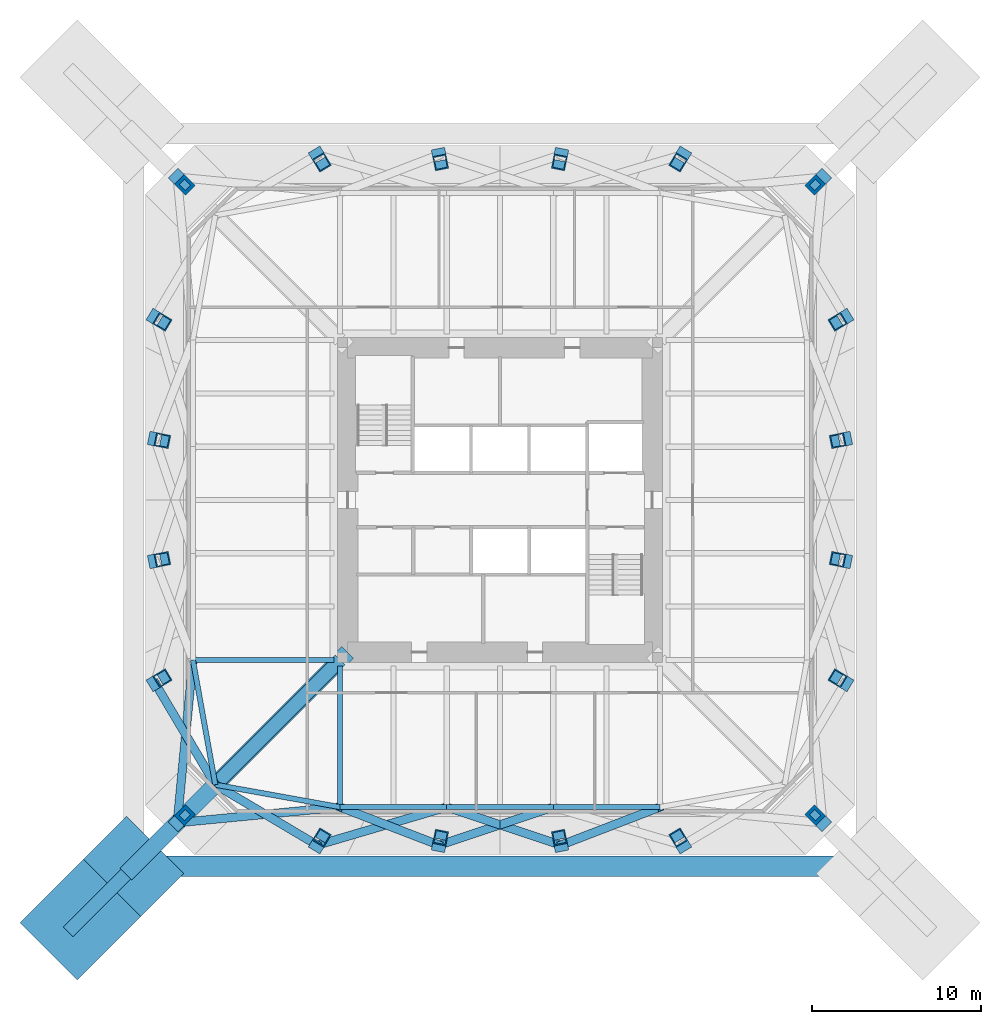
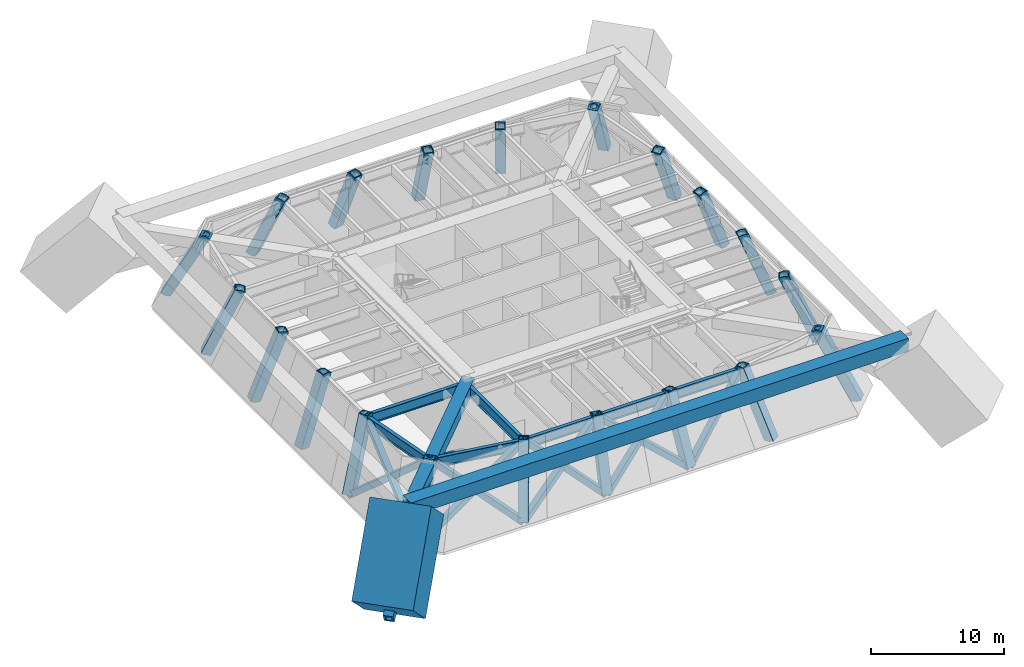
# One storey, part 1 of 6: 20 columns, 15 members, 7 beams.
"""IFC4 building model written with IfcOpenShell, lengths in metres."""

import ifcopenshell
import ifcopenshell.guid

model = None  # the IFC model being written
_history = None  # IfcOwnerHistory: only IFC2X3 demands one
_inside = {}  # id of a spatial element -> (the spatial element, [elements in it])
_under = {}  # id of a project, library or spatial element -> (it, [spatial elements below it])
_declared = {}  # id of a project -> (the project, [libraries it declares])
_typed = {}  # id of a type object -> (the type object, [elements of that type])
_made_of = {}  # id of a material, layer set ... -> (it, [elements and type objects made of it])


def new_model(schema):
    """Start an empty IFC model of exactly this schema.

    Asked for "IFC4X3", IfcOpenShell would pick the latest addendum, in which some entities
    have other attributes; the version numbers below select the first issue.
    IFC2X3 requires an IfcOwnerHistory on every rooted entity: one is made here for all.
    """
    global model, _history
    if schema == "IFC4X3":
        model = ifcopenshell.file(schema_version=(4, 3, 0, 0))
    else:
        model = ifcopenshell.file(schema=schema)
    _inside.clear()
    _under.clear()
    _declared.clear()
    _typed.clear()
    _made_of.clear()
    _history = None
    if model.schema == "IFC2X3":
        org = make("IfcOrganization", Name="unknown")
        user = make(
            "IfcPersonAndOrganization",
            ThePerson=make("IfcPerson", FamilyName="unknown"),
            TheOrganization=org,
        )
        app = make(
            "IfcApplication",
            ApplicationDeveloper=org,
            Version="unknown",
            ApplicationFullName="unknown",
            ApplicationIdentifier="unknown",
        )
        _history = make(
            "IfcOwnerHistory",
            OwningUser=user,
            OwningApplication=app,
            ChangeAction="ADDED",
            CreationDate=0,
        )
    return model


def make(cls, **values):
    """One entity of the class cls with the attributes given. An attribute that is None is left unset."""
    return model.create_entity(
        cls, **{name: value for name, value in values.items() if value is not None}
    )


def rooted(cls, **values):
    """An entity with a GlobalId (a new one), such as an element, a storey or a relation."""
    return make(cls, GlobalId=ifcopenshell.guid.new(), OwnerHistory=_history, **values)


def si_unit(unit_type, name, prefix=None):
    """IfcSIUnit, for example si_unit("LENGTHUNIT", "METRE", prefix="MILLI")."""
    return make("IfcSIUnit", UnitType=unit_type, Prefix=prefix, Name=name)


def assignment(units):
    """IfcUnitAssignment: the units of a project."""
    return None if units is None else make("IfcUnitAssignment", Units=units)


def point(xyz):
    """IfcCartesianPoint."""
    return None if xyz is None else make("IfcCartesianPoint", Coordinates=xyz)


def direction(xyz):
    """IfcDirection."""
    return None if xyz is None else make("IfcDirection", DirectionRatios=xyz)


def frame(location, z_axis=None, x_axis=None):
    """IfcAxis2Placement3D, a coordinate frame: its origin and axes. An axis left out is left unset."""
    return make(
        "IfcAxis2Placement3D",
        Location=point(location),
        Axis=direction(z_axis),
        RefDirection=direction(x_axis),
    )


def frame_2d(location, x_axis=None):
    """IfcAxis2Placement2D, a coordinate frame in the plane: its origin and x axis."""
    return make(
        "IfcAxis2Placement2D", Location=point(location), RefDirection=direction(x_axis)
    )


def origin():
    """The frame at (0, 0, 0) with its axes left unset."""
    return frame((0.0, 0.0, 0.0))


def origin_2d():
    """The frame at (0, 0) in the plane with its x axis left unset."""
    return frame_2d((0.0, 0.0))


def place(relative_to, where):
    """IfcLocalPlacement: puts the frame where relative to a parent placement (None: the world)."""
    return make(
        "IfcLocalPlacement", PlacementRelTo=relative_to, RelativePlacement=where
    )


def context(
    kind, dimensions, precision=None, world=None, true_north=None, identifier=None
):
    """IfcGeometricRepresentationContext, for example the 3D "Model" context."""
    return make(
        "IfcGeometricRepresentationContext",
        ContextIdentifier=identifier,
        ContextType=kind,
        CoordinateSpaceDimension=dimensions,
        Precision=precision,
        WorldCoordinateSystem=world,
        TrueNorth=true_north,
    )


def subcontext(parent, identifier, kind, view, scale=None):
    """IfcGeometricRepresentationSubContext, for example "Body" below "Model"."""
    return make(
        "IfcGeometricRepresentationSubContext",
        ContextIdentifier=identifier,
        ContextType=kind,
        ParentContext=parent,
        TargetScale=scale,
        TargetView=view,
    )


def project(units=None, contexts=None):
    """IfcProject with its units and contexts."""
    return rooted(
        "IfcProject",
        Name="project",
        RepresentationContexts=contexts,
        UnitsInContext=assignment(units),
    )


def spatial(cls, under=None, at=None, **own):
    """A site, building, storey or space (cls), placed at a placement, below another one or the project."""
    s = rooted(cls, ObjectPlacement=at, **own)
    if under is not None:
        _under.setdefault(under.id(), (under, []))[1].append(s)
    return s


def profile(cls, at=None, kind="AREA", **sizes):
    """A parametric profile (cls). Its sizes go by their IFC names, for example OverallWidth=200.0."""
    return make(cls, ProfileType=kind, Position=at, **sizes)


def rectangle(**sizes):
    """IfcRectangleProfileDef."""
    return profile("IfcRectangleProfileDef", **sizes)


def hollow_rectangle(**sizes):
    """IfcRectangleHollowProfileDef."""
    return profile("IfcRectangleHollowProfileDef", **sizes)


def i_section(**sizes):
    """IfcIShapeProfileDef."""
    return profile("IfcIShapeProfileDef", **sizes)


def extrude(swept, where, along, depth):
    """IfcExtrudedAreaSolid: the profile swept, set in the frame where, extruded along a direction by depth."""
    return make(
        "IfcExtrudedAreaSolid",
        SweptArea=swept,
        Position=where,
        ExtrudedDirection=direction(along),
        Depth=depth,
    )


def clip(a, b, op="DIFFERENCE"):
    """IfcBooleanClippingResult: the solid a cut by the half space b."""
    return make(
        "IfcBooleanClippingResult", Operator=op, FirstOperand=a, SecondOperand=b
    )


def halfspace(plane, agree):
    """IfcHalfSpaceSolid: all space on one side of the plane z = 0 of the frame plane."""
    return make(
        "IfcHalfSpaceSolid",
        BaseSurface=make("IfcPlane", Position=plane),
        AgreementFlag=agree,
    )


def shape(context_of_items, identifier, shape_type, items):
    """IfcShapeRepresentation: the items that make up one representation, for example the "Body"."""
    return make(
        "IfcShapeRepresentation",
        ContextOfItems=context_of_items,
        RepresentationIdentifier=identifier,
        RepresentationType=shape_type,
        Items=items,
    )


def material(Name=None, Category=None):
    """IfcMaterial."""
    return make("IfcMaterial", Name=Name, Category=Category)


def material_profile(
    of_material, cross_section, Name=None, Category=None, Priority=None
):
    """IfcMaterialProfile: a cross section and its material."""
    return make(
        "IfcMaterialProfile",
        Name=Name,
        Material=of_material,
        Profile=cross_section,
        Priority=Priority,
        Category=Category,
    )


def profile_set(profiles, Name=None, composite=None):
    """IfcMaterialProfileSet."""
    return make(
        "IfcMaterialProfileSet",
        Name=Name,
        MaterialProfiles=profiles,
        CompositeProfile=composite,
    )


def made_of(thing, what):
    """Note that an element or type object is made of a material, layer set ...; save() writes the relation."""
    if what is not None:
        _made_of.setdefault(what.id(), (what, []))[1].append(thing)
    return thing


def type_object(cls, material=None, **own):
    """A type object (cls), such as IfcWallType, which elements share."""
    return made_of(rooted(cls, **own), material)


def element(
    cls,
    number,
    at=None,
    inside=None,
    cuts=None,
    type_object=None,
    material=None,
    context=None,
    identifier="Body",
    shape_type=None,
    held_by="IfcProductDefinitionShape",
    body=None,
    shapes=None,
    **own,
):
    """One element of the class cls, such as IfcWall. Its Tag is "e" and its number.

    at: its placement. inside: the storey or other place that contains it. cuts: it is an
    opening in that element (IfcRelVoidsElement). A single representation is given by context,
    identifier, shape_type and body (its items); several are given by shapes. held_by: the class
    of the entity that holds the representations. save() writes the other relations.
    """
    e = rooted(cls, Tag="e%d" % number, ObjectPlacement=at, **own)
    if body is not None:
        shapes = [shape(context, identifier, shape_type, body)]
    if shapes is not None:
        e.Representation = make(held_by, Representations=shapes)
    if inside is not None:
        _inside.setdefault(inside.id(), (inside, []))[1].append(e)
    if cuts is not None:
        rooted(
            "IfcRelVoidsElement", RelatingBuildingElement=cuts, RelatedOpeningElement=e
        )
    if type_object is not None:
        _typed.setdefault(type_object.id(), (type_object, []))[1].append(e)
    return made_of(e, material)


def aggregate(whole, parts):
    """IfcRelAggregates: a whole, such as a stair, and the parts it consists of."""
    return rooted("IfcRelAggregates", RelatingObject=whole, RelatedObjects=parts)


def save(model, path):
    """Write the relations noted so far, then the file.

    IfcRelAggregates (storeys below a building ...), IfcRelContainedInSpatialStructure (elements
    in a storey), IfcRelDefinesByType, IfcRelAssociatesMaterial and IfcRelDeclares: one each for
    every whole, place, type object, material and project.
    """
    for whole, parts in _under.values():
        aggregate(whole, parts)
    for where, things in _inside.values():
        rooted(
            "IfcRelContainedInSpatialStructure",
            RelatedElements=things,
            RelatingStructure=where,
        )
    for kind, things in _typed.values():
        rooted("IfcRelDefinesByType", RelatedObjects=things, RelatingType=kind)
    for what, things in _made_of.values():
        rooted("IfcRelAssociatesMaterial", RelatedObjects=things, RelatingMaterial=what)
    for by, libraries in _declared.values():
        rooted("IfcRelDeclares", RelatingContext=by, RelatedDefinitions=libraries)
    model.write(path)


model = new_model("IFC4")

# Units and contexts
model_context = context("Model", 3, precision=1e-05, world=origin(), true_north=direction((0.0, 1.0)))
body_context = subcontext(model_context, "Body", "Model", "MODEL_VIEW")
ifc_project = project(units=[si_unit("LENGTHUNIT", "METRE"), si_unit("AREAUNIT", "SQUARE_METRE"), si_unit("VOLUMEUNIT", "CUBIC_METRE"), si_unit("PLANEANGLEUNIT", "RADIAN"), si_unit("MASSUNIT", "GRAM", prefix="KILO")], contexts=[model_context])

# Site, building, storey
site_placement = place(None, origin())
site = spatial("IfcSite", under=ifc_project, at=site_placement, CompositionType="ELEMENT")
building_placement = place(site_placement, origin())
building = spatial("IfcBuilding", under=site, at=building_placement, Name="Iwan Alto Co-Living Towers", CompositionType="ELEMENT")
storey_placement = place(building_placement, frame((0.0, 0.0, 143.5)))
storey = spatial("IfcBuildingStorey", under=building, at=storey_placement, Name="L39", CompositionType="ELEMENT", Elevation=143.5)

# Columns
ifc_material_1 = material(Name="Steel ASTM A36", Category="steel")
ifc_material_profile_1 = material_profile(ifc_material_1, hollow_rectangle(XDim=0.800048828125, YDim=0.800048828125, WallThickness=0.179931640625, at=origin_2d()), Name="BOX 800X800X180")
ifc_profile_set_1 = profile_set([ifc_material_profile_1], Name="Steel ASTM A36")
column_type_1 = type_object("IfcColumnType", Name="T1 HEAVY RAKING RING COLUMN BOX 800X800X180", PredefinedType="COLUMN", material=ifc_profile_set_1)
column_1_placement = place(storey_placement, frame((-19.07568359375, -19.07568359375, 0.0), z_axis=(0.331294578225, 0.331294578225, 0.883452208599), x_axis=(-0.707106781187, 0.707106781187, 0.0)))
element("IfcColumn", 1, at=column_1_placement, inside=storey, type_object=column_type_1, Name="T1 raking ring column CSW L39", PredefinedType="COLUMN", context=body_context, shape_type="Clipping", body=[
    clip(clip(extrude(hollow_rectangle(XDim=0.800048828125, YDim=0.800048828125, WallThickness=0.179931640625, at=origin_2d()), origin(), (0.0, 0.0, 1.0), 6.79150390625), halfspace(frame((0.0, 0.0, 0.0), z_axis=(0.0, -0.468521285666, -0.883452208599), x_axis=(-0.707106781187, -0.624695047554, 0.331294578225)), False)), halfspace(frame((0.0, 2.81103515625, 5.30078125), z_axis=(0.0, 0.468521285666, 0.883452208599), x_axis=(-0.707106781187, -0.624695047554, 0.331294578225)), False)),
])
column_2_placement = place(storey_placement, frame((19.07568359375, -19.07568359375, 0.0), z_axis=(-0.331294578225, 0.331294578225, 0.883452208599), x_axis=(-0.707106781187, -0.707106781187, 0.0)))
element("IfcColumn", 2, at=column_2_placement, inside=storey, type_object=column_type_1, Name="T1 raking ring column CSE L39", PredefinedType="COLUMN", context=body_context, shape_type="Clipping", body=[
    clip(clip(extrude(hollow_rectangle(XDim=0.800048828125, YDim=0.800048828125, WallThickness=0.179931640625, at=origin_2d()), origin(), (0.0, 0.0, 1.0), 6.79150390625), halfspace(frame((0.0, 0.0, 0.0), z_axis=(0.0, -0.468521285666, -0.883452208599), x_axis=(-0.707106781187, 0.624695047554, -0.331294578225)), False)), halfspace(frame((0.0, 2.81103515625, 5.30078125), z_axis=(0.0, 0.468521285666, 0.883452208599), x_axis=(-0.707106781187, 0.624695047554, -0.331294578225)), False)),
])
column_3_placement = place(storey_placement, frame((19.07568359375, 19.07568359375, 0.0), z_axis=(-0.331294578225, -0.331294578225, 0.883452208599), x_axis=(0.707106781187, -0.707106781187, 0.0)))
element("IfcColumn", 3, at=column_3_placement, inside=storey, type_object=column_type_1, Name="T1 raking ring column CNE L39", PredefinedType="COLUMN", context=body_context, shape_type="Clipping", body=[
    clip(clip(extrude(hollow_rectangle(XDim=0.800048828125, YDim=0.800048828125, WallThickness=0.179931640625, at=origin_2d()), origin(), (0.0, 0.0, 1.0), 6.79150390625), halfspace(frame((0.0, 0.0, 0.0), z_axis=(0.0, -0.468521285666, -0.883452208599), x_axis=(0.707106781187, 0.624695047554, -0.331294578225)), False)), halfspace(frame((0.0, 2.81103515625, 5.30078125), z_axis=(0.0, 0.468521285666, 0.883452208599), x_axis=(0.707106781187, 0.624695047554, -0.331294578225)), False)),
])
column_4_placement = place(storey_placement, frame((-19.07568359375, 19.07568359375, 0.0), z_axis=(0.331294578225, -0.331294578225, 0.883452208599), x_axis=(0.707106781187, 0.707106781187, 0.0)))
element("IfcColumn", 4, at=column_4_placement, inside=storey, type_object=column_type_1, Name="T1 raking ring column CNW L39", PredefinedType="COLUMN", context=body_context, shape_type="Clipping", body=[
    clip(clip(extrude(hollow_rectangle(XDim=0.800048828125, YDim=0.800048828125, WallThickness=0.179931640625, at=origin_2d()), origin(), (0.0, 0.0, 1.0), 6.79150390625), halfspace(frame((0.0, 0.0, 0.0), z_axis=(0.0, -0.468521285666, -0.883452208599), x_axis=(0.707106781187, -0.624695047554, 0.331294578225)), False)), halfspace(frame((0.0, 2.81103515625, 5.30078125), z_axis=(0.0, 0.468521285666, 0.883452208599), x_axis=(0.707106781187, -0.624695047554, 0.331294578225)), False)),
])
ifc_material_2 = material(Name="Steel ASTM A572 Gr 50", Category="steel")
ifc_material_profile_2 = material_profile(ifc_material_2, hollow_rectangle(XDim=0.800048828125, YDim=0.800048828125, WallThickness=0.070068359375, at=origin_2d()), Name="BOX 800X800X70")
ifc_profile_set_2 = profile_set([ifc_material_profile_2], Name="Steel ASTM A572 Gr 50")
column_type_2 = type_object("IfcColumnType", Name="T1 RAKING RING COLUMN BOX 800X800X70", PredefinedType="COLUMN", material=ifc_profile_set_2)
column_5_placement = place(storey_placement, frame((-10.800048828125, -20.39990234375, 0.0), z_axis=(0.206163197348, 0.343580475001, 0.916214600002), x_axis=(-0.857476506072, 0.514523120505, 0.0)))
element("IfcColumn", 5, at=column_5_placement, inside=storey, type_object=column_type_2, Name="T1 raking ring column S1 L39", PredefinedType="COLUMN", context=body_context, shape_type="Clipping", body=[
    clip(clip(extrude(hollow_rectangle(XDim=0.800048828125, YDim=0.800048828125, WallThickness=0.070068359375, at=origin_2d()), origin(), (0.0, 0.0, 1.0), 6.548583984375), halfspace(frame((0.0, 0.0, 0.0), z_axis=(0.0, -0.400687916891, -0.916214600002), x_axis=(-0.857476506072, -0.471413595046, 0.206163197348)), False)), halfspace(frame((0.0, 2.404052734375, 5.497314453125), z_axis=(0.0, 0.400687916891, 0.916214600002), x_axis=(-0.857476506072, -0.471413595046, 0.206163197348)), False)),
])
column_6_placement = place(storey_placement, frame((-3.60009765625, -20.39990234375, 0.0), z_axis=(0.07008242466, 0.350260100688, 0.934026935168), x_axis=(-0.980564303347, 0.196197979098, 0.0)))
element("IfcColumn", 6, at=column_6_placement, inside=storey, type_object=column_type_2, Name="T1 raking ring column S2 L39", PredefinedType="COLUMN", context=body_context, shape_type="Clipping", body=[
    clip(clip(extrude(hollow_rectangle(XDim=0.800048828125, YDim=0.800048828125, WallThickness=0.070068359375, at=origin_2d()), origin(), (0.0, 0.0, 1.0), 6.423828125), halfspace(frame((0.0, 0.0, 0.0), z_axis=(0.0, -0.35720258171, -0.934026935168), x_axis=(-0.980564303347, -0.183254197104, 0.07008242466)), False)), halfspace(frame((0.0, 2.143310546875, 5.604248046875), z_axis=(0.0, 0.35720258171, 0.934026935168), x_axis=(-0.980564303347, -0.183254197104, 0.07008242466)), False)),
])
column_7_placement = place(storey_placement, frame((3.60009765625, -20.39990234375, 0.0), z_axis=(-0.07008242466, 0.350260100688, 0.934026935168), x_axis=(-0.980564303347, -0.196197979098, 0.0)))
element("IfcColumn", 7, at=column_7_placement, inside=storey, type_object=column_type_2, Name="T1 raking ring column S3 L39", PredefinedType="COLUMN", context=body_context, shape_type="Clipping", body=[
    clip(clip(extrude(hollow_rectangle(XDim=0.800048828125, YDim=0.800048828125, WallThickness=0.070068359375, at=origin_2d()), origin(), (0.0, 0.0, 1.0), 6.423828125), halfspace(frame((0.0, 0.0, 0.0), z_axis=(0.0, -0.35720258171, -0.934026935168), x_axis=(-0.980564303347, 0.183254197104, -0.07008242466)), False)), halfspace(frame((0.0, 2.143310546875, 5.604248046875), z_axis=(0.0, 0.35720258171, 0.934026935168), x_axis=(-0.980564303347, 0.183254197104, -0.07008242466)), False)),
])
column_8_placement = place(storey_placement, frame((10.800048828125, -20.39990234375, 0.0), z_axis=(-0.206163197348, 0.343580475001, 0.916214600002), x_axis=(-0.857476506072, -0.514523120505, 0.0)))
element("IfcColumn", 8, at=column_8_placement, inside=storey, type_object=column_type_2, Name="T1 raking ring column S4 L39", PredefinedType="COLUMN", context=body_context, shape_type="Clipping", body=[
    clip(clip(extrude(hollow_rectangle(XDim=0.800048828125, YDim=0.800048828125, WallThickness=0.070068359375, at=origin_2d()), origin(), (0.0, 0.0, 1.0), 6.548583984375), halfspace(frame((0.0, 0.0, 0.0), z_axis=(0.0, -0.400687916891, -0.916214600002), x_axis=(-0.857476506072, 0.471413595046, -0.206163197348)), False)), halfspace(frame((0.0, 2.404052734375, 5.497314453125), z_axis=(0.0, 0.400687916891, 0.916214600002), x_axis=(-0.857476506072, 0.471413595046, -0.206163197348)), False)),
])
column_9_placement = place(storey_placement, frame((20.39990234375, -10.800048828125, 0.0), z_axis=(-0.343580475001, 0.206163197348, 0.916214600002), x_axis=(-0.514523120505, -0.857476506072, 0.0)))
element("IfcColumn", 9, at=column_9_placement, inside=storey, type_object=column_type_2, Name="T1 raking ring column E1 L39", PredefinedType="COLUMN", context=body_context, shape_type="Clipping", body=[
    clip(clip(extrude(hollow_rectangle(XDim=0.800048828125, YDim=0.800048828125, WallThickness=0.070068359375, at=origin_2d()), origin(), (0.0, 0.0, 1.0), 6.548583984375), halfspace(frame((0.0, 0.0, 0.0), z_axis=(0.0, -0.400687916891, -0.916214600002), x_axis=(-0.514523120505, 0.785632494022, -0.343580475001)), False)), halfspace(frame((0.0, 2.404052734375, 5.497314453125), z_axis=(0.0, 0.400687916891, 0.916214600002), x_axis=(-0.514523120505, 0.785632494022, -0.343580475001)), False)),
])
column_10_placement = place(storey_placement, frame((20.39990234375, -3.60009765625, 0.0), z_axis=(-0.350260100688, 0.07008242466, 0.934026935168), x_axis=(-0.196197979098, -0.980564303347, 0.0)))
element("IfcColumn", 10, at=column_10_placement, inside=storey, type_object=column_type_2, Name="T1 raking ring column E2 L39", PredefinedType="COLUMN", context=body_context, shape_type="Clipping", body=[
    clip(clip(extrude(hollow_rectangle(XDim=0.800048828125, YDim=0.800048828125, WallThickness=0.070068359375, at=origin_2d()), origin(), (0.0, 0.0, 1.0), 6.423828125), halfspace(frame((0.0, 0.0, 0.0), z_axis=(0.0, -0.35720258171, -0.934026935168), x_axis=(-0.196197979098, 0.91587347099, -0.350260100688)), False)), halfspace(frame((0.0, 2.143310546875, 5.604248046875), z_axis=(0.0, 0.35720258171, 0.934026935168), x_axis=(-0.196197979098, 0.91587347099, -0.350260100688)), False)),
])
column_11_placement = place(storey_placement, frame((20.39990234375, 3.60009765625, 0.0), z_axis=(-0.350260100688, -0.07008242466, 0.934026935168), x_axis=(0.196197979098, -0.980564303347, 0.0)))
element("IfcColumn", 11, at=column_11_placement, inside=storey, type_object=column_type_2, Name="T1 raking ring column E3 L39", PredefinedType="COLUMN", context=body_context, shape_type="Clipping", body=[
    clip(clip(extrude(hollow_rectangle(XDim=0.800048828125, YDim=0.800048828125, WallThickness=0.070068359375, at=origin_2d()), origin(), (0.0, 0.0, 1.0), 6.423828125), halfspace(frame((0.0, 0.0, 0.0), z_axis=(0.0, -0.35720258171, -0.934026935168), x_axis=(0.196197979098, 0.91587347099, -0.350260100688)), False)), halfspace(frame((0.0, 2.143310546875, 5.604248046875), z_axis=(0.0, 0.35720258171, 0.934026935168), x_axis=(0.196197979098, 0.91587347099, -0.350260100688)), False)),
])
column_12_placement = place(storey_placement, frame((20.39990234375, 10.800048828125, 0.0), z_axis=(-0.343580475001, -0.206163197348, 0.916214600002), x_axis=(0.514523120505, -0.857476506072, 0.0)))
element("IfcColumn", 12, at=column_12_placement, inside=storey, type_object=column_type_2, Name="T1 raking ring column E4 L39", PredefinedType="COLUMN", context=body_context, shape_type="Clipping", body=[
    clip(clip(extrude(hollow_rectangle(XDim=0.800048828125, YDim=0.800048828125, WallThickness=0.070068359375, at=origin_2d()), origin(), (0.0, 0.0, 1.0), 6.548583984375), halfspace(frame((0.0, 0.0, 0.0), z_axis=(0.0, -0.400687916891, -0.916214600002), x_axis=(0.514523120505, 0.785632494022, -0.343580475001)), False)), halfspace(frame((0.0, 2.404052734375, 5.497314453125), z_axis=(0.0, 0.400687916891, 0.916214600002), x_axis=(0.514523120505, 0.785632494022, -0.343580475001)), False)),
])
column_13_placement = place(storey_placement, frame((10.800048828125, 20.39990234375, 0.0), z_axis=(-0.206163197348, -0.343580475001, 0.916214600002), x_axis=(0.857476506072, -0.514523120505, 0.0)))
element("IfcColumn", 13, at=column_13_placement, inside=storey, type_object=column_type_2, Name="T1 raking ring column N1 L39", PredefinedType="COLUMN", context=body_context, shape_type="Clipping", body=[
    clip(clip(extrude(hollow_rectangle(XDim=0.800048828125, YDim=0.800048828125, WallThickness=0.070068359375, at=origin_2d()), origin(), (0.0, 0.0, 1.0), 6.548583984375), halfspace(frame((0.0, 0.0, 0.0), z_axis=(0.0, -0.400687916891, -0.916214600002), x_axis=(0.857476506072, 0.471413595046, -0.206163197348)), False)), halfspace(frame((0.0, 2.404052734375, 5.497314453125), z_axis=(0.0, 0.400687916891, 0.916214600002), x_axis=(0.857476506072, 0.471413595046, -0.206163197348)), False)),
])
column_14_placement = place(storey_placement, frame((3.60009765625, 20.39990234375, 0.0), z_axis=(-0.07008242466, -0.350260100688, 0.934026935168), x_axis=(0.980564303347, -0.196197979098, 0.0)))
element("IfcColumn", 14, at=column_14_placement, inside=storey, type_object=column_type_2, Name="T1 raking ring column N2 L39", PredefinedType="COLUMN", context=body_context, shape_type="Clipping", body=[
    clip(clip(extrude(hollow_rectangle(XDim=0.800048828125, YDim=0.800048828125, WallThickness=0.070068359375, at=origin_2d()), origin(), (0.0, 0.0, 1.0), 6.423828125), halfspace(frame((0.0, 0.0, 0.0), z_axis=(0.0, -0.35720258171, -0.934026935168), x_axis=(0.980564303347, 0.183254197104, -0.07008242466)), False)), halfspace(frame((0.0, 2.143310546875, 5.604248046875), z_axis=(0.0, 0.35720258171, 0.934026935168), x_axis=(0.980564303347, 0.183254197104, -0.07008242466)), False)),
])
column_15_placement = place(storey_placement, frame((-3.60009765625, 20.39990234375, 0.0), z_axis=(0.07008242466, -0.350260100688, 0.934026935168), x_axis=(0.980564303347, 0.196197979098, 0.0)))
element("IfcColumn", 15, at=column_15_placement, inside=storey, type_object=column_type_2, Name="T1 raking ring column N3 L39", PredefinedType="COLUMN", context=body_context, shape_type="Clipping", body=[
    clip(clip(extrude(hollow_rectangle(XDim=0.800048828125, YDim=0.800048828125, WallThickness=0.070068359375, at=origin_2d()), origin(), (0.0, 0.0, 1.0), 6.423828125), halfspace(frame((0.0, 0.0, 0.0), z_axis=(0.0, -0.35720258171, -0.934026935168), x_axis=(0.980564303347, -0.183254197104, 0.07008242466)), False)), halfspace(frame((0.0, 2.143310546875, 5.604248046875), z_axis=(0.0, 0.35720258171, 0.934026935168), x_axis=(0.980564303347, -0.183254197104, 0.07008242466)), False)),
])
column_16_placement = place(storey_placement, frame((-10.800048828125, 20.39990234375, 0.0), z_axis=(0.206163197348, -0.343580475001, 0.916214600002), x_axis=(0.857476506072, 0.514523120505, 0.0)))
element("IfcColumn", 16, at=column_16_placement, inside=storey, type_object=column_type_2, Name="T1 raking ring column N4 L39", PredefinedType="COLUMN", context=body_context, shape_type="Clipping", body=[
    clip(clip(extrude(hollow_rectangle(XDim=0.800048828125, YDim=0.800048828125, WallThickness=0.070068359375, at=origin_2d()), origin(), (0.0, 0.0, 1.0), 6.548583984375), halfspace(frame((0.0, 0.0, 0.0), z_axis=(0.0, -0.400687916891, -0.916214600002), x_axis=(0.857476506072, -0.471413595046, 0.206163197348)), False)), halfspace(frame((0.0, 2.404052734375, 5.497314453125), z_axis=(0.0, 0.400687916891, 0.916214600002), x_axis=(0.857476506072, -0.471413595046, 0.206163197348)), False)),
])
column_17_placement = place(storey_placement, frame((-20.39990234375, 10.800048828125, 0.0), z_axis=(0.343580475001, -0.206163197348, 0.916214600002), x_axis=(0.514523120505, 0.857476506072, 0.0)))
element("IfcColumn", 17, at=column_17_placement, inside=storey, type_object=column_type_2, Name="T1 raking ring column W1 L39", PredefinedType="COLUMN", context=body_context, shape_type="Clipping", body=[
    clip(clip(extrude(hollow_rectangle(XDim=0.800048828125, YDim=0.800048828125, WallThickness=0.070068359375, at=origin_2d()), origin(), (0.0, 0.0, 1.0), 6.548583984375), halfspace(frame((0.0, 0.0, 0.0), z_axis=(0.0, -0.400687916891, -0.916214600002), x_axis=(0.514523120505, -0.785632494022, 0.343580475001)), False)), halfspace(frame((0.0, 2.404052734375, 5.497314453125), z_axis=(0.0, 0.400687916891, 0.916214600002), x_axis=(0.514523120505, -0.785632494022, 0.343580475001)), False)),
])
column_18_placement = place(storey_placement, frame((-20.39990234375, 3.60009765625, 0.0), z_axis=(0.350260100688, -0.07008242466, 0.934026935168), x_axis=(0.196197979098, 0.980564303347, 0.0)))
element("IfcColumn", 18, at=column_18_placement, inside=storey, type_object=column_type_2, Name="T1 raking ring column W2 L39", PredefinedType="COLUMN", context=body_context, shape_type="Clipping", body=[
    clip(clip(extrude(hollow_rectangle(XDim=0.800048828125, YDim=0.800048828125, WallThickness=0.070068359375, at=origin_2d()), origin(), (0.0, 0.0, 1.0), 6.423828125), halfspace(frame((0.0, 0.0, 0.0), z_axis=(0.0, -0.35720258171, -0.934026935168), x_axis=(0.196197979098, -0.91587347099, 0.350260100688)), False)), halfspace(frame((0.0, 2.143310546875, 5.604248046875), z_axis=(0.0, 0.35720258171, 0.934026935168), x_axis=(0.196197979098, -0.91587347099, 0.350260100688)), False)),
])
column_19_placement = place(storey_placement, frame((-20.39990234375, -3.60009765625, 0.0), z_axis=(0.350260100688, 0.07008242466, 0.934026935168), x_axis=(-0.196197979098, 0.980564303347, 0.0)))
element("IfcColumn", 19, at=column_19_placement, inside=storey, type_object=column_type_2, Name="T1 raking ring column W3 L39", PredefinedType="COLUMN", context=body_context, shape_type="Clipping", body=[
    clip(clip(extrude(hollow_rectangle(XDim=0.800048828125, YDim=0.800048828125, WallThickness=0.070068359375, at=origin_2d()), origin(), (0.0, 0.0, 1.0), 6.423828125), halfspace(frame((0.0, 0.0, 0.0), z_axis=(0.0, -0.35720258171, -0.934026935168), x_axis=(-0.196197979098, -0.91587347099, 0.350260100688)), False)), halfspace(frame((0.0, 2.143310546875, 5.604248046875), z_axis=(0.0, 0.35720258171, 0.934026935168), x_axis=(-0.196197979098, -0.91587347099, 0.350260100688)), False)),
])
column_20_placement = place(storey_placement, frame((-20.39990234375, -10.800048828125, 0.0), z_axis=(0.343580475001, 0.206163197348, 0.916214600002), x_axis=(-0.514523120505, 0.857476506072, 0.0)))
element("IfcColumn", 20, at=column_20_placement, inside=storey, type_object=column_type_2, Name="T1 raking ring column W4 L39", PredefinedType="COLUMN", context=body_context, shape_type="Clipping", body=[
    clip(clip(extrude(hollow_rectangle(XDim=0.800048828125, YDim=0.800048828125, WallThickness=0.070068359375, at=origin_2d()), origin(), (0.0, 0.0, 1.0), 6.548583984375), halfspace(frame((0.0, 0.0, 0.0), z_axis=(0.0, -0.400687916891, -0.916214600002), x_axis=(-0.514523120505, -0.785632494022, 0.343580475001)), False)), halfspace(frame((0.0, 2.404052734375, 5.497314453125), z_axis=(0.0, 0.400687916891, 0.916214600002), x_axis=(-0.514523120505, -0.785632494022, 0.343580475001)), False)),
])

# Beams
ifc_material_3 = material(Name="Steel ASTM A992 Gr 50", Category="steel")
ifc_material_profile_3 = material_profile(ifc_material_3, i_section(OverallWidth=0.307373046875, OverallDepth=0.927001953125, WebThickness=0.01953125, FlangeThickness=0.031982421875, at=origin_2d()), Name="W36X194")
ifc_profile_set_3 = profile_set([ifc_material_profile_3], Name="Steel ASTM A992 Gr 50")
beam_type_1 = type_object("IfcBeamType", Name="T1 BELT TRUSS CHORD W36X194", PredefinedType="BEAM", material=ifc_profile_set_3)
beam_1_placement = place(storey_placement, frame((-16.82568359375, -16.82568359375, 5.306396484375), z_axis=(0.98426263553, -0.17671181143, 0.0), x_axis=(0.17671181143, 0.98426263553, 0.0)))
element("IfcBeam", 21, at=beam_1_placement, inside=storey, type_object=beam_type_1, Name="T1 edge beam CSW L40", PredefinedType="BEAM", context=body_context, shape_type="SweptSolid", body=[
    extrude(i_section(OverallWidth=0.307373046875, OverallDepth=0.927001953125, WebThickness=0.01953125, FlangeThickness=0.031982421875, at=origin_2d()), origin(), (0.0, 0.0, 1.0), 7.49365234375),
])
beam_2_placement = place(storey_placement, frame((-9.449951171875, -18.14990234375, 5.306396484375), z_axis=(1.0, 0.0, 0.0), x_axis=(0.0, 1.0, 0.0)))
element("IfcBeam", 22, at=beam_2_placement, inside=storey, type_object=beam_type_1, Name="T1 edge beam S1 L40", PredefinedType="BEAM", context=body_context, shape_type="SweptSolid", body=[
    extrude(i_section(OverallWidth=0.307373046875, OverallDepth=0.927001953125, WebThickness=0.01953125, FlangeThickness=0.031982421875, at=origin_2d()), origin(), (0.0, 0.0, 1.0), 6.300048828125),
])
beam_3_placement = place(storey_placement, frame((-3.14990234375, -18.14990234375, 5.306396484375), z_axis=(1.0, 0.0, 0.0), x_axis=(0.0, 1.0, 0.0)))
element("IfcBeam", 23, at=beam_3_placement, inside=storey, type_object=beam_type_1, Name="T1 edge beam S2 L40", PredefinedType="BEAM", context=body_context, shape_type="SweptSolid", body=[
    extrude(i_section(OverallWidth=0.307373046875, OverallDepth=0.927001953125, WebThickness=0.01953125, FlangeThickness=0.031982421875, at=origin_2d()), origin(), (0.0, 0.0, 1.0), 6.2998046875),
])
beam_4_placement = place(storey_placement, frame((3.14990234375, -18.14990234375, 5.306396484375), z_axis=(1.0, 0.0, 0.0), x_axis=(0.0, 1.0, 0.0)))
element("IfcBeam", 24, at=beam_4_placement, inside=storey, type_object=beam_type_1, Name="T1 edge beam S3 L40", PredefinedType="BEAM", context=body_context, shape_type="SweptSolid", body=[
    extrude(i_section(OverallWidth=0.307373046875, OverallDepth=0.927001953125, WebThickness=0.01953125, FlangeThickness=0.031982421875, at=origin_2d()), origin(), (0.0, 0.0, 1.0), 6.300048828125),
])
beam_5_placement = place(storey_placement, frame((-18.14990234375, -9.449951171875, 5.306396484375), z_axis=(0.17671181143, -0.98426263553, 0.0), x_axis=(0.98426263553, 0.17671181143, 0.0)))
element("IfcBeam", 25, at=beam_5_placement, inside=storey, type_object=beam_type_1, Name="T1 edge beam W4 L40", PredefinedType="BEAM", context=body_context, shape_type="SweptSolid", body=[
    extrude(i_section(OverallWidth=0.307373046875, OverallDepth=0.927001953125, WebThickness=0.01953125, FlangeThickness=0.031982421875, at=origin_2d()), origin(), (0.0, 0.0, 1.0), 7.49365234375),
])

# Members
ifc_material_4 = material(Name="Steel ASTM A572 Gr 50", Category="steel")
ifc_material_profile_4 = material_profile(ifc_material_4, hollow_rectangle(XDim=0.5, YDim=0.5, WallThickness=0.031982421875, at=origin_2d()), Name="BOX 500X500X32")
ifc_profile_set_4 = profile_set([ifc_material_profile_4], Name="Steel ASTM A572 Gr 50")
member_type_1 = type_object("IfcMemberType", Name="T1 BELT TRUSS DIAGONAL BOX 500X500X32", PredefinedType="BRACE", material=ifc_profile_set_4)
member_1_placement = place(storey_placement, frame((-19.07568359375, -19.07568359375, 0.0), z_axis=(0.857524184509, 0.082474743391, 0.507789513169), x_axis=(-0.09573597896, 0.99540676225, 0.0)))
element("IfcMember", 26, at=member_1_placement, inside=storey, type_object=member_type_1, Name="T1 belt truss diagonal CSW L39 1", PredefinedType="BRACE", context=body_context, shape_type="SweptSolid", body=[
    extrude(hollow_rectangle(XDim=0.5, YDim=0.5, WallThickness=0.031982421875, at=origin_2d()), origin(), (0.0, 0.0, 1.0), 11.22509765625),
])
member_2_placement = place(storey_placement, frame((-10.800048828125, -20.39990234375, 0.0), z_axis=(-0.667160357396, 0.395738731505, 0.631100557681), x_axis=(-0.510169146112, -0.860074091201, 0.0)))
element("IfcMember", 27, at=member_2_placement, inside=storey, type_object=member_type_1, Name="T1 belt truss diagonal CSW L39 2", PredefinedType="BRACE", context=body_context, shape_type="SweptSolid", body=[
    extrude(hollow_rectangle(XDim=0.5, YDim=0.5, WallThickness=0.031982421875, at=origin_2d()), origin(), (0.0, 0.0, 1.0), 9.03173828125),
])
member_3_placement = place(storey_placement, frame((-10.800048828125, -20.39990234375, 0.0), z_axis=(0.780478146102, 0.229548000462, 0.58151661966), x_axis=(-0.28216135125, 0.959366964128, 0.0)))
element("IfcMember", 28, at=member_3_placement, inside=storey, type_object=member_type_1, Name="T1 belt truss diagonal S1 L39 1", PredefinedType="BRACE", context=body_context, shape_type="SweptSolid", body=[
    extrude(hollow_rectangle(XDim=0.5, YDim=0.5, WallThickness=0.031982421875, at=origin_2d()), origin(), (0.0, 0.0, 1.0), 9.8017578125),
])
member_4_placement = place(storey_placement, frame((-3.60009765625, -20.39990234375, 0.0), z_axis=(-0.690502507157, 0.265584537622, 0.672808398422), x_axis=(-0.358986909968, -0.933342594373, 0.0)))
element("IfcMember", 29, at=member_4_placement, inside=storey, type_object=member_type_1, Name="T1 belt truss diagonal S1 L39 2", PredefinedType="BRACE", context=body_context, shape_type="SweptSolid", body=[
    extrude(hollow_rectangle(XDim=0.5, YDim=0.5, WallThickness=0.031982421875, at=origin_2d()), origin(), (0.0, 0.0, 1.0), 8.471923828125),
])
for number, where, z_axis, x_axis, name in (
    (30, (-3.60009765625, -20.39990234375, 0.0), (0.740398486837, 0.246799495612, 0.625220032993), (-0.316227766017, 0.948683298051, 0.0), "T1 belt truss diagonal S2 L39 1"),
    (31, (3.60009765625, -20.39990234375, 0.0), (-0.740398486837, 0.246799495612, 0.625220032993), (-0.316227766017, -0.948683298051, 0.0), "T1 belt truss diagonal S2 L39 2"),
):
    element("IfcMember", number, at=place(storey_placement, frame(where, z_axis=z_axis, x_axis=x_axis)), inside=storey, type_object=member_type_1, Name=name, PredefinedType="BRACE", context=body_context, shape_type="SweptSolid", body=[
        extrude(hollow_rectangle(XDim=0.5, YDim=0.5, WallThickness=0.031982421875, at=origin_2d()), origin(), (0.0, 0.0, 1.0), 9.11669921875),
    ])
member_5_placement = place(storey_placement, frame((3.60009765625, -20.39990234375, 0.0), z_axis=(0.690502507157, 0.265584537622, 0.672808398422), x_axis=(-0.358986909968, 0.933342594373, 0.0)))
element("IfcMember", 32, at=member_5_placement, inside=storey, type_object=member_type_1, Name="T1 belt truss diagonal S3 L39 1", PredefinedType="BRACE", context=body_context, shape_type="SweptSolid", body=[
    extrude(hollow_rectangle(XDim=0.5, YDim=0.5, WallThickness=0.031982421875, at=origin_2d()), origin(), (0.0, 0.0, 1.0), 8.471923828125),
])
member_6_placement = place(storey_placement, frame((-20.39990234375, -10.800048828125, 0.0), z_axis=(0.395738731505, -0.667160357396, 0.631100557681), x_axis=(0.860074091201, 0.510169146112, 0.0)))
element("IfcMember", 33, at=member_6_placement, inside=storey, type_object=member_type_1, Name="T1 belt truss diagonal W4 L39 1", PredefinedType="BRACE", context=body_context, shape_type="SweptSolid", body=[
    extrude(hollow_rectangle(XDim=0.5, YDim=0.5, WallThickness=0.031982421875, at=origin_2d()), origin(), (0.0, 0.0, 1.0), 9.03173828125),
])
member_7_placement = place(storey_placement, frame((-19.07568359375, -19.07568359375, 0.0), z_axis=(0.082474743391, 0.857524184509, 0.507789513169), x_axis=(-0.99540676225, 0.09573597896, 0.0)))
element("IfcMember", 34, at=member_7_placement, inside=storey, type_object=member_type_1, Name="T1 belt truss diagonal W4 L39 2", PredefinedType="BRACE", context=body_context, shape_type="SweptSolid", body=[
    extrude(hollow_rectangle(XDim=0.5, YDim=0.5, WallThickness=0.031982421875, at=origin_2d()), origin(), (0.0, 0.0, 1.0), 11.22509765625),
])
ifc_material_5 = material(Name="Steel ASTM A572 Gr 50", Category="steel")
ifc_material_profile_5 = material_profile(ifc_material_5, hollow_rectangle(XDim=1.199951171875, YDim=1.199951171875, WallThickness=0.070068359375, at=origin_2d()), Name="BOX 1200X1200X70")
ifc_profile_set_5 = profile_set([ifc_material_profile_5], Name="Steel ASTM A572 Gr 50")
member_type_2 = type_object("IfcMemberType", Name="T1 MEGA BELT TIE BOX 1200X1200X70", PredefinedType="STRUT", material=ifc_profile_set_5)
member_8_placement = place(storey_placement, frame((-21.64990234375, -21.64990234375, 6.0), z_axis=(1.0, 0.0, 0.0), x_axis=(0.0, 1.0, 0.0)))
element("IfcMember", 35, at=member_8_placement, inside=storey, type_object=member_type_2, Name="T1 mega belt tie S L40", PredefinedType="STRUT", context=body_context, shape_type="SweptSolid", body=[
    extrude(hollow_rectangle(XDim=1.199951171875, YDim=1.199951171875, WallThickness=0.070068359375, at=origin_2d()), origin(), (0.0, 0.0, 1.0), 43.2998046875),
])
ifc_material_6 = material(Name="Steel ASTM A572 Gr 50", Category="steel")
ifc_material_profile_6 = material_profile(ifc_material_6, hollow_rectangle(XDim=1.0, YDim=1.0, WallThickness=0.070068359375, at=origin_2d()), Name="BOX 1000X1000X70")
ifc_profile_set_6 = profile_set([ifc_material_profile_6], Name="Steel ASTM A572 Gr 50")
member_type_3 = type_object("IfcMemberType", Name="T1 OUTRIGGER CHORD BOX 1000X1000X70", PredefinedType="CHORD", material=ifc_profile_set_6)
member_9_placement = place(storey_placement, frame((-9.0, -9.0, 5.27001953125), z_axis=(-0.707106781187, -0.707106781187, 0.0), x_axis=(0.707106781187, -0.707106781187, 0.0)))
element("IfcMember", 36, at=member_9_placement, inside=storey, type_object=member_type_3, Name="T1 outrigger SW L39 top chord 1", PredefinedType="CHORD", context=body_context, shape_type="SweptSolid", body=[
    extrude(hollow_rectangle(XDim=1.0, YDim=1.0, WallThickness=0.070068359375, at=origin_2d()), origin(), (0.0, 0.0, 1.0), 11.067138671875),
])
member_10_placement = place(storey_placement, frame((-16.82568359375, -16.82568359375, 5.27001953125), z_axis=(-0.707106781187, -0.707106781187, 0.0), x_axis=(0.707106781187, -0.707106781187, 0.0)))
element("IfcMember", 37, at=member_10_placement, inside=storey, type_object=member_type_3, Name="T1 outrigger SW L39 top chord 2", PredefinedType="CHORD", context=body_context, shape_type="SweptSolid", body=[
    extrude(hollow_rectangle(XDim=1.0, YDim=1.0, WallThickness=0.070068359375, at=origin_2d()), origin(), (0.0, 0.0, 1.0), 7.4677734375),
])
ifc_material_7 = material(Name="Steel ASTM A572 Gr 42", Category="steel")
ifc_material_profile_7 = material_profile(ifc_material_7, hollow_rectangle(XDim=0.800048828125, YDim=0.800048828125, WallThickness=0.139892578125, at=origin_2d()), Name="BOX 800X800X140")
ifc_profile_set_7 = profile_set([ifc_material_profile_7], Name="Steel ASTM A572 Gr 42")
member_type_4 = type_object("IfcMemberType", Name="T1 OUTRIGGER DIAGONAL BOX 800X800X140", PredefinedType="BRACE", material=ifc_profile_set_7)
member_11_placement = place(storey_placement, frame((-9.60009765625, -9.60009765625, -0.800048828125), z_axis=(-0.607935427787, -0.607935427787, 0.51071423642), x_axis=(0.707106781187, -0.707106781187, 0.0)))
element("IfcMember", 38, at=member_11_placement, inside=storey, type_object=member_type_4, Name="T1 outrigger SW L39 diagonal 1", PredefinedType="BRACE", context=body_context, shape_type="SweptSolid", body=[
    extrude(hollow_rectangle(XDim=0.800048828125, YDim=0.800048828125, WallThickness=0.139892578125, at=origin_2d()), origin(), (0.0, 0.0, 1.0), 11.885498046875),
])
member_12_placement = place(storey_placement, frame((-16.82568359375, -16.82568359375, 5.27001953125), z_axis=(-0.632305696112, -0.632305696112, -0.447637144716), x_axis=(0.707106781187, -0.707106781187, 0.0)))
element("IfcMember", 39, at=member_12_placement, inside=storey, type_object=member_type_4, Name="T1 outrigger SW L39 diagonal 2", PredefinedType="BRACE", context=body_context, shape_type="SweptSolid", body=[
    extrude(hollow_rectangle(XDim=0.800048828125, YDim=0.800048828125, WallThickness=0.139892578125, at=origin_2d()), origin(), (0.0, 0.0, 1.0), 13.560302734375),
])

# Beams
ifc_material_8 = material(Name="Steel ASTM A992 Gr 50", Category="steel")
ifc_material_profile_8 = material_profile(ifc_material_8, i_section(OverallWidth=0.307373046875, OverallDepth=0.927001953125, WebThickness=0.01953125, FlangeThickness=0.031982421875, at=origin_2d()), Name="W36X194")
ifc_profile_set_8 = profile_set([ifc_material_profile_8], Name="Steel ASTM A992 Gr 50")
beam_type_2 = type_object("IfcBeamType", Name="T1 RADIAL BEAM W36X194", PredefinedType="BEAM", material=ifc_profile_set_8)
for number, where, z_axis, x_axis, name in (
    (40, (-9.449951171875, -18.14990234375, 5.306396484375), (0.0, 1.0, 0.0), (-1.0, 0.0, 0.0), "T1 radial beam S1 L40"),
    (41, (-18.14990234375, -9.449951171875, 5.306396484375), (1.0, 0.0, 0.0), (0.0, 1.0, 0.0), "T1 radial beam W4 L40"),
):
    element("IfcBeam", number, at=place(storey_placement, frame(where, z_axis=z_axis, x_axis=x_axis)), inside=storey, type_object=beam_type_2, Name=name, PredefinedType="BEAM", context=body_context, shape_type="SweptSolid", body=[
        extrude(i_section(OverallWidth=0.307373046875, OverallDepth=0.927001953125, WebThickness=0.01953125, FlangeThickness=0.031982421875, at=origin_2d()), origin(), (0.0, 0.0, 1.0), 8.33154296875),
    ])

# Member
ifc_material_9 = material(Name="Concrete f'c 70 MPa", Category="concrete")
ifc_material_profile_9 = material_profile(ifc_material_9, rectangle(XDim=4.800048828125, YDim=4.800048828125, at=origin_2d()), Name="RC 4800X4800")
ifc_profile_set_9 = profile_set([ifc_material_profile_9], Name="Concrete f'c 70 MPa")
member_type_5 = type_object("IfcMemberType", Name="T1 RAKING MEGA COLUMN RC 4800X4800", PredefinedType="MEMBER", material=ifc_profile_set_9)
member_13_placement = place(storey_placement, frame((-25.39990234375, -25.39990234375, 0.0), z_axis=(0.468292905791, 0.468292905791, 0.749268649265), x_axis=(-0.707106781187, 0.707106781187, 0.0)))
element("IfcMember", 42, at=member_13_placement, inside=storey, type_object=member_type_5, Name="T1 raking mega column SW L39", PredefinedType="MEMBER", context=body_context, shape_type="SweptSolid", body=[
    extrude(rectangle(XDim=4.800048828125, YDim=4.800048828125, at=origin_2d()), origin(), (0.0, 0.0, 1.0), 8.0078125),
    extrude(i_section(OverallWidth=0.4775390625, OverallDepth=0.599365234375, WebThickness=0.10009765625, FlangeThickness=0.139892578125, at=origin_2d()), origin(), (0.0, 0.0, 1.0), 8.0078125),
])

save(model, "model.ifc")
